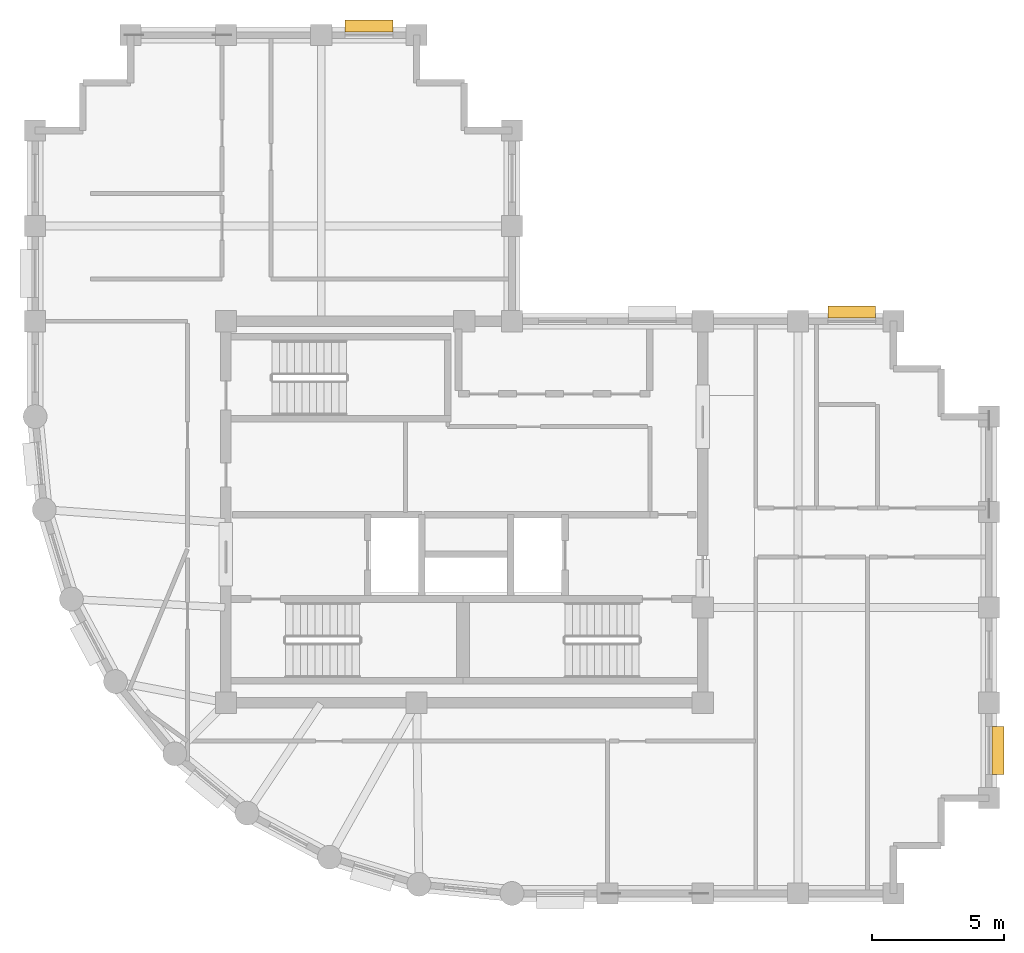
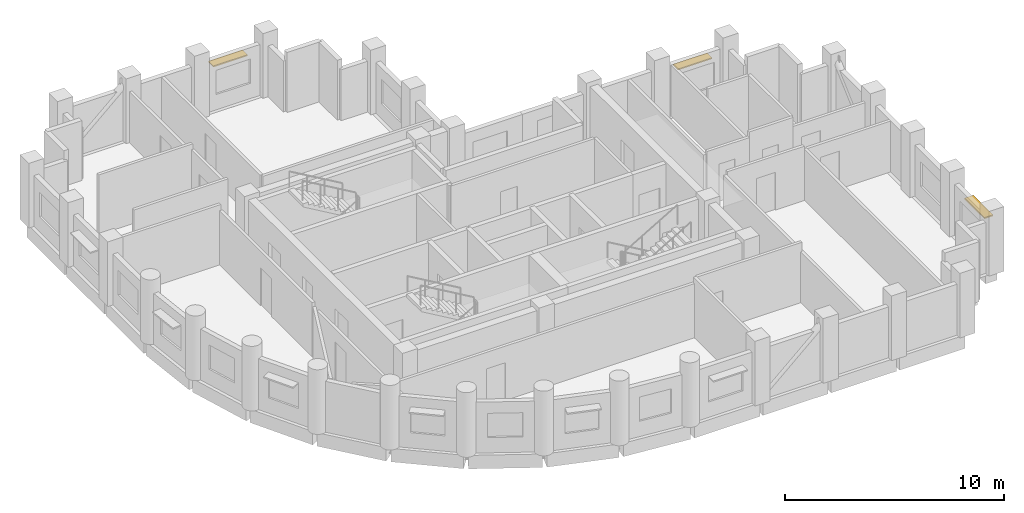
# One storey, part 7 of 7: 3 shading devices.
"""IFC4 building model written with IfcOpenShell, lengths in metres."""

from ifc_helpers import new_model, si_unit, direction, frame, origin, origin_2d, place, context, subcontext, project, spatial, rectangle, extrude, material, layer, layer_set, type_object, element, save


model = new_model("IFC4")

# Units and contexts
model_context = context("Model", 3, precision=1e-05, world=origin(), true_north=direction((0.0, 1.0)))
body_context = subcontext(model_context, "Body", "Model", "MODEL_VIEW")
ifc_project = project(units=[si_unit("LENGTHUNIT", "METRE"), si_unit("AREAUNIT", "SQUARE_METRE"), si_unit("VOLUMEUNIT", "CUBIC_METRE"), si_unit("PLANEANGLEUNIT", "RADIAN"), si_unit("MASSUNIT", "GRAM", prefix="KILO")], contexts=[model_context])

# Site, building, storey
site_placement = place(None, origin())
site = spatial("IfcSite", under=ifc_project, at=site_placement, CompositionType="ELEMENT")
building_placement = place(site_placement, origin())
building = spatial("IfcBuilding", under=site, at=building_placement, Name="Solnavia Interchange Tower", CompositionType="ELEMENT")
storey_placement = place(building_placement, frame((0.0, 0.0, 259.39990234375)))
storey = spatial("IfcBuildingStorey", under=building, at=storey_placement, Name="L65", CompositionType="ELEMENT", Elevation=259.39990234375)

# Shading devices
ifc_material = material(Name="Anodised Aluminium Sunshade", Category="aluminium")
ifc_layer = layer(ifc_material, 0.070068359375)
ifc_layer_set = layer_set([ifc_layer], Name="Anodised Aluminium Sunshade")
shading_device_type = type_object("IfcShadingDeviceType", Name="Sunshade-Band-450", PredefinedType="JALOUSIE", material=ifc_layer_set)
for number, where, z_axis, x_axis, name in (
    (1, (43.544921875, 9.0, 2.22509765625), (0.0, 0.0, 1.0), (0.0, -1.0, 0.0), "SHD-L65-09 Horizontal sunshade band"),
    (2, (38.02001953125, 25.544921875, 2.22509765625), (0.0, 0.0, 1.0), (1.0, 0.0, 0.0), "SHD-L65-17 Horizontal sunshade band"),
    (3, (19.800048828125, 36.344970703125, 2.22509765625), (0.0, 0.0, 1.0), (1.0, 0.0, 0.0), "SHD-L65-27 Horizontal sunshade band"),
):
    element("IfcShadingDevice", number, at=place(storey_placement, frame(where, z_axis=z_axis, x_axis=x_axis)), inside=storey, type_object=shading_device_type, Name=name, PredefinedType="JALOUSIE", context=body_context, shape_type="SweptSolid", body=[
        extrude(rectangle(XDim=1.800048828125, YDim=0.449951171875, at=origin_2d()), origin(), (0.0, 0.0, 1.0), 0.070068359375),
    ])

save(model, "model.ifc")
